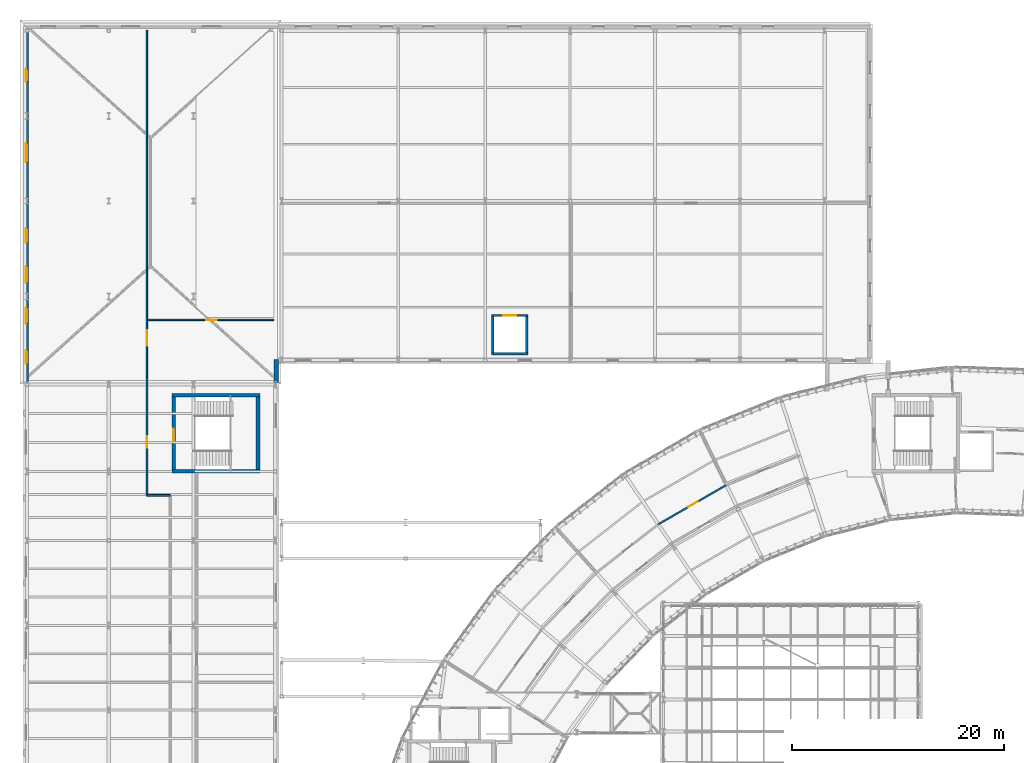
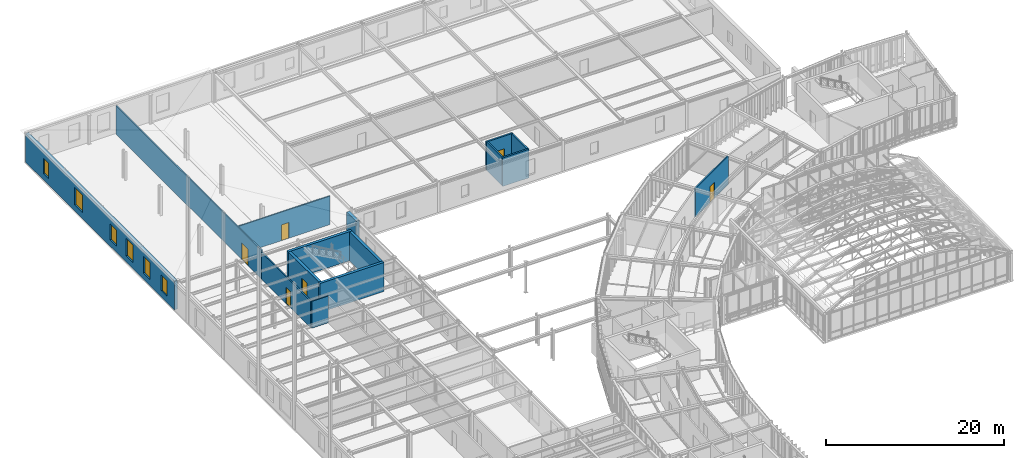
# One storey, part 129 of 148: 15 walls, 6 doors, 6 windows, 12 openings.
"""IFC4 building model written with IfcOpenShell, lengths in metres."""

from ifc_helpers import new_model, si_unit, direction, frame, frame_2d, origin, place, context, subcontext, project, spatial, rectangle, extrude, material, layer, layer_set, type_object, element, fill, save


model = new_model("IFC4")

# Units and contexts
model_context = context("Model", 3, precision=1e-05, world=origin(), true_north=direction((0.0, 1.0)))
body_context = subcontext(model_context, "Body", "Model", "MODEL_VIEW")
ifc_project = project(units=[si_unit("LENGTHUNIT", "METRE"), si_unit("AREAUNIT", "SQUARE_METRE"), si_unit("VOLUMEUNIT", "CUBIC_METRE"), si_unit("PLANEANGLEUNIT", "RADIAN"), si_unit("MASSUNIT", "GRAM", prefix="KILO"), si_unit("THERMODYNAMICTEMPERATUREUNIT", "KELVIN"), si_unit("POWERUNIT", "WATT")], contexts=[model_context])

# Site, building, storey
site_placement = place(None, origin())
site = spatial("IfcSite", under=ifc_project, at=site_placement, CompositionType="ELEMENT")
building_placement = place(site_placement, origin())
building = spatial("IfcBuilding", under=site, at=building_placement, Name="Solvatero Civic Police Headquarters", CompositionType="ELEMENT")
storey_placement = place(building_placement, frame((0.0, 0.0, 5.10009765625)))
storey = spatial("IfcBuildingStorey", under=building, at=storey_placement, Name="L01", CompositionType="ELEMENT", Elevation=5.10009765625)

# Wall, openings, windows
ifc_material_1 = material(Name="Cream Limestone Ashlar", Category="masonry")
ifc_layer_1 = layer(ifc_material_1, 0.419921875)
ifc_layer_set_1 = layer_set([ifc_layer_1], Name="Cream Limestone Ashlar")
wall_type_1 = type_object("IfcWallType", Name="WL-EXT-LIME-420", PredefinedType="SOLIDWALL", material=ifc_layer_set_1)
wall_1_placement = place(storey_placement, frame((4.719970703125, 83.5, 0.0), z_axis=(0.0, 0.0, 1.0), x_axis=(0.0, 1.0, 0.0)))
wall_1 = element("IfcWall", 1, at=wall_1_placement, inside=storey, type_object=wall_type_1, Name="Exterior Wall WLE-L01-V7NW-W", PredefinedType="SOLIDWALL", context=body_context, shape_type="SweptSolid", body=[
    extrude(rectangle(XDim=33.449951171875, YDim=0.419921875, at=frame_2d((16.72509765625, 0.0))), origin(), (0.0, 0.0, 1.0), 3.93994140625),
])
opening_1_placement = place(wall_1_placement, frame((1.64990234375, 0.0, 0.85009765625)))
opening_1 = element("IfcOpeningElement", 2, at=opening_1_placement, cuts=wall_1, Name="Opening W-13", PredefinedType="OPENING", context=body_context, shape_type="SweptSolid", body=[
    extrude(rectangle(XDim=1.300048828125, YDim=2.14990234375, at=frame_2d((0.64990234375, 1.074951171875))), frame((0.0, 0.219970703125, 0.0), z_axis=(0.0, -1.0, 0.0), x_axis=(1.0, 0.0, 0.0)), (0.0, 0.0, 1.0), 0.43994140625),
])
opening_2_placement = place(wall_1_placement, frame((5.449951171875, 0.0, 0.85009765625)))
opening_2 = element("IfcOpeningElement", 3, at=opening_2_placement, cuts=wall_1, Name="Opening W-03", PredefinedType="OPENING", context=body_context, shape_type="SweptSolid", body=[
    extrude(rectangle(XDim=1.5, YDim=2.300048828125, at=frame_2d((0.75, 1.14990234375))), frame((0.0, 0.219970703125, 0.0), z_axis=(0.0, -1.0, 0.0), x_axis=(1.0, 0.0, 0.0)), (0.0, 0.0, 1.0), 0.43994140625),
])
opening_3_placement = place(wall_1_placement, frame((9.25, 0.0, 0.85009765625)))
opening_3 = element("IfcOpeningElement", 4, at=opening_3_placement, cuts=wall_1, Name="Opening W-04", PredefinedType="OPENING", context=body_context, shape_type="SweptSolid", body=[
    extrude(rectangle(XDim=1.60009765625, YDim=2.39990234375, at=frame_2d((0.800048828125, 1.199951171875))), frame((0.0, 0.219970703125, 0.0), z_axis=(0.0, -1.0, 0.0), x_axis=(1.0, 0.0, 0.0)), (0.0, 0.0, 1.0), 0.43994140625),
])
opening_4_placement = place(wall_1_placement, frame((13.050048828125, 0.0, 0.85009765625)))
opening_4 = element("IfcOpeningElement", 5, at=opening_4_placement, cuts=wall_1, Name="Opening W-02", PredefinedType="OPENING", context=body_context, shape_type="SweptSolid", body=[
    extrude(rectangle(XDim=1.39990234375, YDim=2.199951171875, at=frame_2d((0.699951171875, 1.10009765625))), frame((0.0, 0.219970703125, 0.0), z_axis=(0.0, -1.0, 0.0), x_axis=(1.0, 0.0, 0.0)), (0.0, 0.0, 1.0), 0.43994140625),
])
opening_5_placement = place(wall_1_placement, frame((20.64990234375, 0.0, 0.85009765625)))
opening_5 = element("IfcOpeningElement", 6, at=opening_5_placement, cuts=wall_1, Name="Opening W-05", PredefinedType="OPENING", context=body_context, shape_type="SweptSolid", body=[
    extrude(rectangle(XDim=1.800048828125, YDim=2.39990234375, at=frame_2d((0.89990234375, 1.199951171875))), frame((0.0, 0.219970703125, 0.0), z_axis=(0.0, -1.0, 0.0), x_axis=(1.0, 0.0, 0.0)), (0.0, 0.0, 1.0), 0.43994140625),
])
opening_6_placement = place(wall_1_placement, frame((28.25, 0.0, 0.85009765625)))
opening_6 = element("IfcOpeningElement", 7, at=opening_6_placement, cuts=wall_1, Name="Opening W-01", PredefinedType="OPENING", context=body_context, shape_type="SweptSolid", body=[
    extrude(rectangle(XDim=1.199951171875, YDim=2.10009765625, at=frame_2d((0.60009765625, 1.050048828125))), frame((0.0, 0.219970703125, 0.0), z_axis=(0.0, -1.0, 0.0), x_axis=(1.0, 0.0, 0.0)), (0.0, 0.0, 1.0), 0.43994140625),
])
ifc_material_2 = material(Name="Anodized Bronze Aluminium", Category="aluminium")
window_type_1 = type_object("IfcWindowType", Name="WN-CL-120x210", PartitioningType="SINGLE_PANEL", PredefinedType="WINDOW", material=ifc_material_2)
window_1_placement = place(opening_6_placement, origin())
window_1 = element("IfcWindow", 8, at=window_1_placement, inside=storey, type_object=window_type_1, Name="Exterior Window 0157", OverallHeight=2.10009765625, OverallWidth=1.199951171875, PartitioningType="SINGLE_PANEL", PredefinedType="WINDOW", context=body_context, shape_type="SweptSolid", body=[
    extrude(rectangle(XDim=1.199951171875, YDim=2.10009765625, at=frame_2d((0.60009765625, 1.050048828125))), frame((0.0, 0.030029296875, 0.0), z_axis=(0.0, -1.0, 0.0), x_axis=(1.0, 0.0, 0.0)), (0.0, 0.0, 1.0), 0.06005859375),
])
fill(opening_6, window_1)
window_type_2 = type_object("IfcWindowType", Name="WN-CL-130x215", PartitioningType="SINGLE_PANEL", PredefinedType="WINDOW", material=ifc_material_2)
window_2_placement = place(opening_1_placement, origin())
window_2 = element("IfcWindow", 9, at=window_2_placement, inside=storey, type_object=window_type_2, Name="Exterior Window 0152", OverallHeight=2.14990234375, OverallWidth=1.300048828125, PartitioningType="SINGLE_PANEL", PredefinedType="WINDOW", context=body_context, shape_type="SweptSolid", body=[
    extrude(rectangle(XDim=1.300048828125, YDim=2.14990234375, at=frame_2d((0.64990234375, 1.074951171875))), frame((0.0, 0.030029296875, 0.0), z_axis=(0.0, -1.0, 0.0), x_axis=(1.0, 0.0, 0.0)), (0.0, 0.0, 1.0), 0.06005859375),
])
fill(opening_1, window_2)
window_type_3 = type_object("IfcWindowType", Name="WN-CL-140x220", PartitioningType="SINGLE_PANEL", PredefinedType="WINDOW", material=ifc_material_2)
window_3_placement = place(opening_4_placement, origin())
window_3 = element("IfcWindow", 10, at=window_3_placement, inside=storey, type_object=window_type_3, Name="Exterior Window 0155", OverallHeight=2.199951171875, OverallWidth=1.39990234375, PartitioningType="SINGLE_PANEL", PredefinedType="WINDOW", context=body_context, shape_type="SweptSolid", body=[
    extrude(rectangle(XDim=1.39990234375, YDim=2.199951171875, at=frame_2d((0.699951171875, 1.10009765625))), frame((0.0, 0.030029296875, 0.0), z_axis=(0.0, -1.0, 0.0), x_axis=(1.0, 0.0, 0.0)), (0.0, 0.0, 1.0), 0.06005859375),
])
fill(opening_4, window_3)
window_type_4 = type_object("IfcWindowType", Name="WN-CL-150x230", PartitioningType="SINGLE_PANEL", PredefinedType="WINDOW", material=ifc_material_2)
window_4_placement = place(opening_2_placement, origin())
window_4 = element("IfcWindow", 11, at=window_4_placement, inside=storey, type_object=window_type_4, Name="Exterior Window 0153", OverallHeight=2.300048828125, OverallWidth=1.5, PartitioningType="SINGLE_PANEL", PredefinedType="WINDOW", context=body_context, shape_type="SweptSolid", body=[
    extrude(rectangle(XDim=1.5, YDim=2.300048828125, at=frame_2d((0.75, 1.14990234375))), frame((0.0, 0.030029296875, 0.0), z_axis=(0.0, -1.0, 0.0), x_axis=(1.0, 0.0, 0.0)), (0.0, 0.0, 1.0), 0.06005859375),
])
fill(opening_2, window_4)
window_type_5 = type_object("IfcWindowType", Name="WN-CL-160x240", PartitioningType="SINGLE_PANEL", PredefinedType="WINDOW", material=ifc_material_2)
window_5_placement = place(opening_3_placement, origin())
window_5 = element("IfcWindow", 12, at=window_5_placement, inside=storey, type_object=window_type_5, Name="Exterior Window 0154", OverallHeight=2.39990234375, OverallWidth=1.60009765625, PartitioningType="SINGLE_PANEL", PredefinedType="WINDOW", context=body_context, shape_type="SweptSolid", body=[
    extrude(rectangle(XDim=1.60009765625, YDim=2.39990234375, at=frame_2d((0.800048828125, 1.199951171875))), frame((0.0, 0.030029296875, 0.0), z_axis=(0.0, -1.0, 0.0), x_axis=(1.0, 0.0, 0.0)), (0.0, 0.0, 1.0), 0.06005859375),
])
fill(opening_3, window_5)
window_type_6 = type_object("IfcWindowType", Name="WN-CL-180x240", PartitioningType="SINGLE_PANEL", PredefinedType="WINDOW", material=ifc_material_2)
window_6_placement = place(opening_5_placement, origin())
window_6 = element("IfcWindow", 13, at=window_6_placement, inside=storey, type_object=window_type_6, Name="Exterior Window 0156", OverallHeight=2.39990234375, OverallWidth=1.800048828125, PartitioningType="SINGLE_PANEL", PredefinedType="WINDOW", context=body_context, shape_type="SweptSolid", body=[
    extrude(rectangle(XDim=1.800048828125, YDim=2.39990234375, at=frame_2d((0.89990234375, 1.199951171875))), frame((0.0, 0.030029296875, 0.0), z_axis=(0.0, -1.0, 0.0), x_axis=(1.0, 0.0, 0.0)), (0.0, 0.0, 1.0), 0.06005859375),
])
fill(opening_5, window_6)

# Wall
wall_2_placement = place(storey_placement, frame((28.280029296875, 83.39990234375, 0.0), z_axis=(0.0, 0.0, 1.0), x_axis=(0.0, 1.0, 0.0)))
element("IfcWall", 14, at=wall_2_placement, inside=storey, type_object=wall_type_1, Name="Exterior Wall WLE-L01-V7NW-SE", PredefinedType="SOLIDWALL", context=body_context, shape_type="SweptSolid", body=[
    extrude(rectangle(XDim=2.150146484375, YDim=0.419921875, at=frame_2d((1.0751953125, 0.0))), origin(), (0.0, 0.0, 1.0), 3.93994140625),
])

# Wall, opening, door
ifc_material_3 = material(Name="Gypsum Acoustic Stud", Category="gypsum")
ifc_layer_2 = layer(ifc_material_3, 0.14990234375)
ifc_layer_set_2 = layer_set([ifc_layer_2], Name="Gypsum Acoustic Stud")
wall_type_2 = type_object("IfcWallType", Name="WL-PTN-150", PredefinedType="PARTITIONING", material=ifc_layer_set_2)
wall_3_placement = place(storey_placement, frame((16.10009765625, 83.85009765625, 0.0), z_axis=(0.0, 0.0, 1.0), x_axis=(0.0, 1.0, 0.0)))
wall_3 = element("IfcWall", 15, at=wall_3_placement, inside=storey, type_object=wall_type_2, Name="Interior Partition WLP-L01-V7NW-W", PredefinedType="PARTITIONING", context=body_context, shape_type="SweptSolid", body=[
    extrude(rectangle(XDim=32.75, YDim=0.14990234375, at=frame_2d((16.375, 0.0))), origin(), (0.0, 0.0, 1.0), 3.919921875),
])
opening_7_placement = place(wall_3_placement, frame((3.0, 0.0, 0.0)))
opening_7 = element("IfcOpeningElement", 16, at=opening_7_placement, cuts=wall_3, Name="Opening ID-13", PredefinedType="OPENING", context=body_context, shape_type="SweptSolid", body=[
    extrude(rectangle(XDim=1.47998046875, YDim=2.280029296875, at=frame_2d((0.739990234375, 1.14013671875))), frame((0.0, 0.0849609375, 0.0), z_axis=(0.0, -1.0, 0.0), x_axis=(1.0, 0.0, 0.0)), (0.0, 0.0, 1.0), 0.169921875),
])
ifc_material_4 = material(Name="Powder-Coated Steel", Category="steel")
door_type_1 = type_object("IfcDoorType", Name="DR-DBL-148x228", OperationType="NOTDEFINED", PredefinedType="DOOR", material=ifc_material_4)
door_1_placement = place(opening_7_placement, origin())
door_1 = element("IfcDoor", 17, at=door_1_placement, inside=storey, type_object=door_type_1, Name="Interior Door DR-L01-SEM1", OperationType="DOUBLE_DOOR_SINGLE_SWING", OverallHeight=2.280029296875, OverallWidth=1.47998046875, PredefinedType="DOOR", context=body_context, shape_type="SweptSolid", body=[
    extrude(rectangle(XDim=1.47998046875, YDim=2.280029296875, at=frame_2d((0.739990234375, 1.14013671875))), frame((0.0, 0.02490234375, 0.0), z_axis=(0.0, -1.0, 0.0), x_axis=(1.0, 0.0, 0.0)), (0.0, 0.0, 1.0), 0.050048828125),
])
fill(opening_7, door_1)

wall_4_placement = place(storey_placement, frame((16.199951171875, 89.300048828125, 0.0), z_axis=(0.0, 0.0, 1.0), x_axis=(1.0, 0.0, 0.0)))
wall_4 = element("IfcWall", 18, at=wall_4_placement, inside=storey, type_object=wall_type_2, Name="Interior Partition WLP-L01-V7NW-N", PredefinedType="PARTITIONING", context=body_context, shape_type="SweptSolid", body=[
    extrude(rectangle(XDim=11.85009765625, YDim=0.14990234375, at=frame_2d((5.925048828125, 0.0))), origin(), (0.0, 0.0, 1.0), 3.919921875),
])
opening_8_placement = place(wall_4_placement, frame((5.5, 0.0, 0.0)))
opening_8 = element("IfcOpeningElement", 19, at=opening_8_placement, cuts=wall_4, Name="Opening ID-05", PredefinedType="OPENING", context=body_context, shape_type="SweptSolid", body=[
    extrude(rectangle(XDim=0.97998046875, YDim=2.159912109375, at=frame_2d((0.489990234375, 1.080078125))), frame((0.0, 0.0849609375, 0.0), z_axis=(0.0, -1.0, 0.0), x_axis=(1.0, 0.0, 0.0)), (0.0, 0.0, 1.0), 0.169921875),
])
door_type_2 = type_object("IfcDoorType", Name="DR-OFF-098x216", OperationType="NOTDEFINED", PredefinedType="DOOR", material=ifc_material_4)
door_2_placement = place(opening_8_placement, origin())
door_2 = element("IfcDoor", 20, at=door_2_placement, inside=storey, type_object=door_type_2, Name="Interior Door DR-L01-K9", OperationType="SINGLE_SWING_LEFT", OverallHeight=2.159912109375, OverallWidth=0.97998046875, PredefinedType="DOOR", context=body_context, shape_type="SweptSolid", body=[
    extrude(rectangle(XDim=0.97998046875, YDim=2.159912109375, at=frame_2d((0.489990234375, 1.080078125))), frame((0.0, 0.02490234375, 0.0), z_axis=(0.0, -1.0, 0.0), x_axis=(1.0, 0.0, 0.0)), (0.0, 0.0, 1.0), 0.050048828125),
])
fill(opening_8, door_2)

ifc_material_5 = material(Name="Concrete Blockwork", Category="masonry")
ifc_layer_3 = layer(ifc_material_5, 0.1650390625)
ifc_layer_set_3 = layer_set([ifc_layer_3], Name="Concrete Blockwork")
wall_type_3 = type_object("IfcWallType", Name="WL-PTN-165", PredefinedType="PARTITIONING", material=ifc_layer_set_3)
wall_5_placement = place(storey_placement, frame((70.722412109375, 73.72607421875, 0.0), z_axis=(0.0, 0.0, 1.0), x_axis=(-0.866019843608, -0.500009630384, 0.0)))
wall_5 = element("IfcWall", 21, at=wall_5_placement, inside=storey, type_object=wall_type_3, Name="Interior Partition WLP-L01-ARC-COUT-B05", PredefinedType="PARTITIONING", context=body_context, shape_type="SweptSolid", body=[
    extrude(rectangle(XDim=7.407958984375, YDim=0.1650390625, at=frame_2d((3.7041015625, 0.0))), origin(), (0.0, 0.0, 1.0), 3.919921875),
])
opening_9_placement = place(wall_5_placement, frame((3.111083984375, 0.0, 0.0)))
opening_9 = element("IfcOpeningElement", 22, at=opening_9_placement, cuts=wall_5, Name="Opening ID-07", PredefinedType="OPENING", context=body_context, shape_type="SweptSolid", body=[
    extrude(rectangle(XDim=1.050048828125, YDim=2.199951171875, at=frame_2d((0.52490234375, 1.10009765625))), frame((0.0, 0.092529296875, 0.0), z_axis=(0.0, -1.0, 0.0), x_axis=(1.0, 0.0, 0.0)), (0.0, 0.0, 1.0), 0.18505859375),
])
door_type_3 = type_object("IfcDoorType", Name="DR-LAB-105x220", OperationType="NOTDEFINED", PredefinedType="DOOR", material=ifc_material_4)
door_3_placement = place(opening_9_placement, origin())
door_3 = element("IfcDoor", 23, at=door_3_placement, inside=storey, type_object=door_type_3, Name="Interior Door DR-L01-ARC-OUT-B05", OperationType="SINGLE_SWING_LEFT", OverallHeight=2.199951171875, OverallWidth=1.050048828125, PredefinedType="DOOR", context=body_context, shape_type="SweptSolid", body=[
    extrude(rectangle(XDim=1.050048828125, YDim=2.199951171875, at=frame_2d((0.52490234375, 1.10009765625))), frame((0.0, 0.02490234375, 0.0), z_axis=(0.0, -1.0, 0.0), x_axis=(1.0, 0.0, 0.0)), (0.0, 0.0, 1.0), 0.050048828125),
])
fill(opening_9, door_3)

# Wall
ifc_layer_4 = layer(ifc_material_5, 0.179931640625)
ifc_layer_set_4 = layer_set([ifc_layer_4], Name="Concrete Blockwork")
wall_type_4 = type_object("IfcWallType", Name="WL-PTN-180", PredefinedType="PARTITIONING", material=ifc_layer_set_4)
wall_6_placement = place(storey_placement, frame((16.10009765625, 72.75, 0.0), z_axis=(0.0, 0.0, 1.0), x_axis=(1.0, 0.0, 0.0)))
element("IfcWall", 24, at=wall_6_placement, inside=storey, type_object=wall_type_4, Name="Interior Partition WLP-L01-C4LOB-S", PredefinedType="PARTITIONING", context=body_context, shape_type="SweptSolid", body=[
    extrude(rectangle(XDim=2.199951171875, YDim=0.179931640625, at=frame_2d((1.10009765625, 0.0))), origin(), (0.0, 0.0, 1.0), 3.669921875),
])

# Wall, opening, door
wall_7_placement = place(storey_placement, frame((16.10009765625, 72.75, 0.0), z_axis=(0.0, 0.0, 1.0), x_axis=(0.0, 1.0, 0.0)))
wall_7 = element("IfcWall", 25, at=wall_7_placement, inside=storey, type_object=wall_type_4, Name="Interior Partition WLP-L01-C4LOB-W", PredefinedType="PARTITIONING", context=body_context, shape_type="SweptSolid", body=[
    extrude(rectangle(XDim=11.10009765625, YDim=0.179931640625, at=frame_2d((5.550048828125, 0.0))), origin(), (0.0, 0.0, 1.0), 3.657958984375),
])
opening_10_placement = place(wall_7_placement, frame((4.5, 0.0, 0.0)))
opening_10 = element("IfcOpeningElement", 26, at=opening_10_placement, cuts=wall_7, Name="Opening ID-07", PredefinedType="OPENING", context=body_context, shape_type="SweptSolid", body=[
    extrude(rectangle(XDim=1.050048828125, YDim=2.199951171875, at=frame_2d((0.52490234375, 1.10009765625))), frame((0.0, 0.099853515625, 0.0), z_axis=(0.0, -1.0, 0.0), x_axis=(1.0, 0.0, 0.0)), (0.0, 0.0, 1.0), 0.199951171875),
])
door_4_placement = place(opening_10_placement, origin())
door_4 = element("IfcDoor", 27, at=door_4_placement, inside=storey, type_object=door_type_3, Name="Interior Door DR-L01-V6-C4W", OperationType="SINGLE_SWING_LEFT", OverallHeight=2.199951171875, OverallWidth=1.050048828125, PredefinedType="DOOR", context=body_context, shape_type="SweptSolid", body=[
    extrude(rectangle(XDim=1.050048828125, YDim=2.199951171875, at=frame_2d((0.52490234375, 1.10009765625))), frame((0.0, 0.02490234375, 0.0), z_axis=(0.0, -1.0, 0.0), x_axis=(1.0, 0.0, 0.0)), (0.0, 0.0, 1.0), 0.050048828125),
])
fill(opening_10, door_4)

# Wall
ifc_material_6 = material(Name="Concrete C35/45", Category="concrete")
ifc_layer_5 = layer(ifc_material_6, 0.219970703125)
ifc_layer_set_5 = layer_set([ifc_layer_5], Name="Concrete C35/45")
wall_type_5 = type_object("IfcWallType", Name="WL-SHF-220", PredefinedType="PARTITIONING", material=ifc_layer_set_5)
wall_8_placement = place(storey_placement, frame((48.580078125, 86.090087890625, 0.0), z_axis=(0.0, 0.0, 1.0), x_axis=(1.0, 0.0, 0.0)))
element("IfcWall", 28, at=wall_8_placement, inside=storey, type_object=wall_type_5, Name="Lift Shaft Wall WLS-LC-01-L01-S", PredefinedType="PARTITIONING", context=body_context, shape_type="SweptSolid", body=[
    extrude(rectangle(XDim=3.43994140625, YDim=0.219970703125, at=frame_2d((1.719970703125, 0.0))), origin(), (0.0, 0.0, 1.0), 3.919921875),
])

# Wall, opening, door
wall_9_placement = place(storey_placement, frame((48.580078125, 89.7099609375, 0.0), z_axis=(0.0, 0.0, 1.0), x_axis=(1.0, 0.0, 0.0)))
wall_9 = element("IfcWall", 29, at=wall_9_placement, inside=storey, type_object=wall_type_5, Name="Lift Shaft Wall WLS-LC-01-L01-N", PredefinedType="PARTITIONING", context=body_context, shape_type="SweptSolid", body=[
    extrude(rectangle(XDim=3.43994140625, YDim=0.219970703125, at=frame_2d((1.719970703125, 0.0))), origin(), (0.0, 0.0, 1.0), 3.919921875),
])
opening_11_placement = place(wall_9_placement, frame((1.1201171875, 0.0, 0.0)))
opening_11 = element("IfcOpeningElement", 30, at=opening_11_placement, cuts=wall_9, Name="Opening LD-03", PredefinedType="OPENING", context=body_context, shape_type="SweptSolid", body=[
    extrude(rectangle(XDim=1.199951171875, YDim=2.179931640625, at=frame_2d((0.60009765625, 1.08984375))), frame((0.0, 0.119873046875, 0.0), z_axis=(0.0, -1.0, 0.0), x_axis=(1.0, 0.0, 0.0)), (0.0, 0.0, 1.0), 0.239990234375),
])
ifc_material_7 = material(Name="Stainless Steel Grade 316", Category="steel")
door_type_4 = type_object("IfcDoorType", Name="DR-LFT-120x218", OperationType="DOUBLE_DOOR_SLIDING", PredefinedType="DOOR", material=ifc_material_7)
door_5_placement = place(opening_11_placement, origin())
door_5 = element("IfcDoor", 31, at=door_5_placement, inside=storey, type_object=door_type_4, Name="Interior Door DR-LFT-LC-01-L01", OperationType="DOUBLE_DOOR_SLIDING", OverallHeight=2.179931640625, OverallWidth=1.199951171875, PredefinedType="DOOR", context=body_context, shape_type="SweptSolid", body=[
    extrude(rectangle(XDim=1.199951171875, YDim=2.179931640625, at=frame_2d((0.60009765625, 1.08984375))), frame((0.0, 0.02490234375, 0.0), z_axis=(0.0, -1.0, 0.0), x_axis=(1.0, 0.0, 0.0)), (0.0, 0.0, 1.0), 0.050048828125),
])
fill(opening_11, door_5)

# Walls
for number, where, z_axis, x_axis, name in (
    (32, (48.68994140625, 86.199951171875, 0.0), (0.0, 0.0, 1.0), (0.0, 1.0, 0.0), "Lift Shaft Wall WLS-LC-01-L01-W"),
    (33, (51.909912109375, 86.199951171875, 0.0), (0.0, 0.0, 1.0), (0.0, 1.0, 0.0), "Lift Shaft Wall WLS-LC-01-L01-E"),
):
    element("IfcWall", number, at=place(storey_placement, frame(where, z_axis=z_axis, x_axis=x_axis)), inside=storey, type_object=wall_type_5, Name=name, PredefinedType="PARTITIONING", context=body_context, shape_type="SweptSolid", body=[
        extrude(rectangle(XDim=3.400146484375, YDim=0.219970703125, at=frame_2d((1.7001953125, 0.0))), origin(), (0.0, 0.0, 1.0), 3.919921875),
    ])
ifc_material_8 = material(Name="Concrete C40/50", Category="concrete")
ifc_layer_6 = layer(ifc_material_8, 0.35009765625)
ifc_layer_set_6 = layer_set([ifc_layer_6], Name="Concrete C40/50")
wall_type_6 = type_object("IfcWallType", Name="WL-SHR-350", PredefinedType="SHEAR", material=ifc_layer_set_6)
for number, where, z_axis, x_axis, name in (
    (34, (18.449951171875, 75.02490234375, 0.0), (0.0, 0.0, 1.0), (1.0, 0.0, 0.0), "Core C4 Shear Wall S L01"),
    (35, (18.449951171875, 82.175048828125, 0.0), (0.0, 0.0, 1.0), (1.0, 0.0, 0.0), "Core C4 Shear Wall N L01"),
):
    element("IfcWall", number, at=place(storey_placement, frame(where, z_axis=z_axis, x_axis=x_axis)), inside=storey, type_object=wall_type_6, Name=name, PredefinedType="SHEAR", context=body_context, shape_type="SweptSolid", body=[
        extrude(rectangle(XDim=8.300048828125, YDim=0.35009765625, at=frame_2d((4.14990234375, 0.0))), origin(), (0.0, 0.0, 1.0), 3.97998046875),
    ])

# Wall, opening, door
wall_10_placement = place(storey_placement, frame((18.625, 75.199951171875, 0.0), z_axis=(0.0, 0.0, 1.0), x_axis=(0.0, 1.0, 0.0)))
wall_10 = element("IfcWall", 36, at=wall_10_placement, inside=storey, type_object=wall_type_6, Name="Core C4 Shear Wall W L01", PredefinedType="SHEAR", context=body_context, shape_type="SweptSolid", body=[
    extrude(rectangle(XDim=6.800048828125, YDim=0.35009765625, at=frame_2d((3.39990234375, 0.0))), origin(), (0.0, 0.0, 1.0), 3.97998046875),
])
opening_12_placement = place(wall_10_placement, frame((2.60009765625, 0.0, 0.0)))
opening_12 = element("IfcOpeningElement", 37, at=opening_12_placement, cuts=wall_10, Name="Opening FD-01", PredefinedType="OPENING", context=body_context, shape_type="SweptSolid", body=[
    extrude(rectangle(XDim=1.25, YDim=2.199951171875, at=frame_2d((0.625, 1.10009765625))), frame((0.0, 0.18505859375, 0.0), z_axis=(0.0, -1.0, 0.0), x_axis=(1.0, 0.0, 0.0)), (0.0, 0.0, 1.0), 0.3701171875),
])
door_type_5 = type_object("IfcDoorType", Name="DR-STR-125x220", OperationType="NOTDEFINED", PredefinedType="DOOR", material=ifc_material_4)
door_6_placement = place(opening_12_placement, origin())
door_6 = element("IfcDoor", 38, at=door_6_placement, inside=storey, type_object=door_type_5, Name="Interior Door DR-STR-C4-L01", OperationType="SINGLE_SWING_LEFT", OverallHeight=2.199951171875, OverallWidth=1.25, PredefinedType="DOOR", context=body_context, shape_type="SweptSolid", body=[
    extrude(rectangle(XDim=1.25, YDim=2.199951171875, at=frame_2d((0.625, 1.10009765625))), frame((0.0, 0.02490234375, 0.0), z_axis=(0.0, -1.0, 0.0), x_axis=(1.0, 0.0, 0.0)), (0.0, 0.0, 1.0), 0.050048828125),
])
fill(opening_12, door_6)

# Wall
wall_11_placement = place(storey_placement, frame((26.574951171875, 75.199951171875, 0.0), z_axis=(0.0, 0.0, 1.0), x_axis=(0.0, 1.0, 0.0)))
element("IfcWall", 39, at=wall_11_placement, inside=storey, type_object=wall_type_6, Name="Core C4 Shear Wall E L01", PredefinedType="SHEAR", context=body_context, shape_type="SweptSolid", body=[
    extrude(rectangle(XDim=6.800048828125, YDim=0.35009765625, at=frame_2d((3.39990234375, 0.0))), origin(), (0.0, 0.0, 1.0), 3.97998046875),
])

save(model, "model.ifc")
